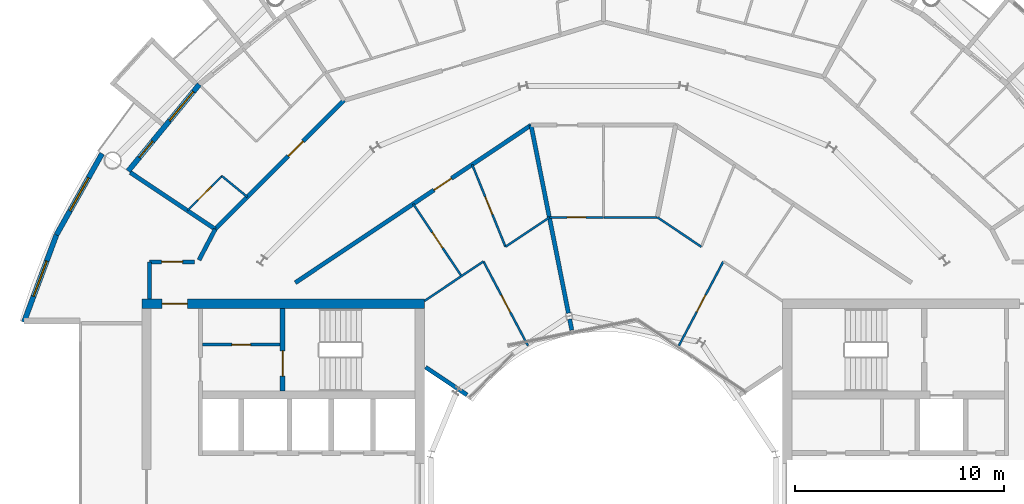
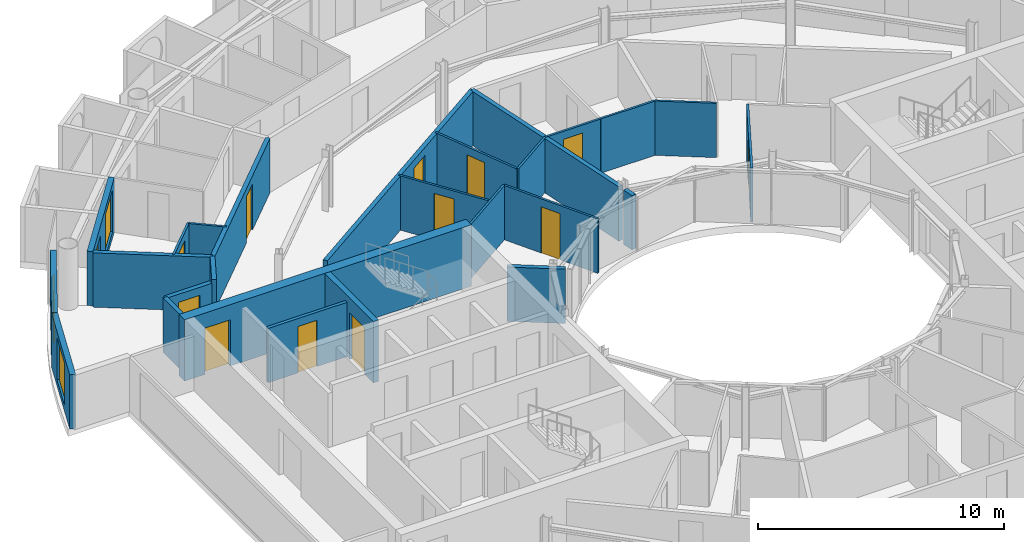
# One storey, part 20 of 27: 26 walls, 13 doors, 3 windows, 16 openings.
"""IFC4 building model written with IfcOpenShell, lengths in metres."""

from ifc_helpers import new_model, si_unit, direction, frame, frame_2d, origin, place, context, subcontext, project, spatial, rectangle, extrude, material, layer, layer_set, type_object, element, fill, save


model = new_model("IFC4")

# Units and contexts
model_context = context("Model", 3, precision=1e-05, world=origin(), true_north=direction((0.0, 1.0)))
body_context = subcontext(model_context, "Body", "Model", "MODEL_VIEW")
ifc_project = project(units=[si_unit("LENGTHUNIT", "METRE"), si_unit("AREAUNIT", "SQUARE_METRE"), si_unit("VOLUMEUNIT", "CUBIC_METRE"), si_unit("PLANEANGLEUNIT", "RADIAN"), si_unit("MASSUNIT", "GRAM", prefix="KILO")], contexts=[model_context])

# Site, building, storey
site_placement = place(None, origin())
site = spatial("IfcSite", under=ifc_project, at=site_placement, CompositionType="ELEMENT")
building_placement = place(site_placement, origin())
building = spatial("IfcBuilding", under=site, at=building_placement, Name="Maasbend Ring Residences", CompositionType="ELEMENT")
storey_placement = place(building_placement, frame((0.0, 0.0, 199.35009765625)))
storey = spatial("IfcBuildingStorey", under=building, at=storey_placement, Name="L57", CompositionType="ELEMENT", Elevation=199.35009765625)

# Wall, opening, door
ifc_material_1 = material(Name="Concrete C50/60", Category="concrete")
ifc_layer_1 = layer(ifc_material_1, 0.25)
ifc_layer_set_1 = layer_set([ifc_layer_1], Name="Concrete C50/60")
wall_type_1 = type_object("IfcWallType", Name="CORE WALL 250 C50/60", PredefinedType="SHEAR", material=ifc_layer_set_1)
wall_1_placement = place(storey_placement, frame((-15.324951171875, 8.60009765625, 0.0), z_axis=(0.0, 0.0, 1.0), x_axis=(0.0, -1.0, 0.0)))
wall_1 = element("IfcWall", 1, at=wall_1_placement, inside=storey, type_object=wall_type_1, Name="L57 core W wall STES", PredefinedType="SHEAR", context=body_context, shape_type="SweptSolid", body=[
    extrude(rectangle(XDim=3.9501953125, YDim=0.25, at=frame_2d((1.97509765625, 0.0))), origin(), (0.0, 0.0, 1.0), 3.0498046875),
])
opening_1_placement = place(wall_1_placement, frame((2.02490234375, 0.0, 0.0)))
opening_1 = element("IfcOpeningElement", 2, at=opening_1_placement, cuts=wall_1, Name="Opening D-W5710", PredefinedType="OPENING", context=body_context, shape_type="SweptSolid", body=[
    extrude(rectangle(XDim=1.199951171875, YDim=2.300048828125, at=frame_2d((0.60009765625, 1.14990234375))), frame((0.0, 0.135009765625, 0.0), z_axis=(0.0, -1.0, 0.0), x_axis=(1.0, 0.0, 0.0)), (0.0, 0.0, 1.0), 0.27001953125),
])
ifc_material_2 = material(Name="Steel, powder coated", Category="steel")
door_type_1 = type_object("IfcDoorType", Name="STAIR DOOR 1200 X 2300 FD60", OperationType="NOTDEFINED", PredefinedType="DOOR", material=ifc_material_2)
door_1_placement = place(opening_1_placement, origin())
door_1 = element("IfcDoor", 3, at=door_1_placement, inside=storey, type_object=door_type_1, Name="Stair door ST-W L57", OperationType="SINGLE_SWING_LEFT", OverallHeight=2.300048828125, OverallWidth=1.199951171875, PredefinedType="DOOR", context=body_context, shape_type="SweptSolid", body=[
    extrude(rectangle(XDim=1.199951171875, YDim=2.300048828125, at=frame_2d((0.60009765625, 1.14990234375))), frame((0.0, 0.02490234375, 0.0), z_axis=(0.0, -1.0, 0.0), x_axis=(1.0, 0.0, 0.0)), (0.0, 0.0, 1.0), 0.050048828125),
])
fill(opening_1, door_1)

ifc_material_3 = material(Name="Concrete C50/60", Category="concrete")
ifc_layer_2 = layer(ifc_material_3, 0.449951171875)
ifc_layer_set_2 = layer_set([ifc_layer_2], Name="Concrete C50/60")
wall_type_2 = type_object("IfcWallType", Name="CORE WALL 450 C50/60", PredefinedType="SHEAR", material=ifc_layer_set_2)
wall_2_placement = place(storey_placement, frame((-8.550048828125, 8.824951171875, 0.0), z_axis=(0.0, 0.0, 1.0), x_axis=(-1.0, 0.0, 0.0)))
wall_2 = element("IfcWall", 4, at=wall_2_placement, inside=storey, type_object=wall_type_2, Name="L57 core W wall PS", PredefinedType="SHEAR", context=body_context, shape_type="SweptSolid", body=[
    extrude(rectangle(XDim=13.5, YDim=0.449951171875, at=frame_2d((6.75, 0.0))), origin(), (0.0, 0.0, 1.0), 3.0498046875),
])
opening_2_placement = place(wall_2_placement, frame((11.324951171875, 0.0, 0.0)))
opening_2 = element("IfcOpeningElement", 5, at=opening_2_placement, cuts=wall_2, Name="Opening D-W5714", PredefinedType="OPENING", context=body_context, shape_type="SweptSolid", body=[
    extrude(rectangle(XDim=1.199951171875, YDim=2.300048828125, at=frame_2d((0.60009765625, 1.14990234375))), frame((0.0, 0.23486328125, 0.0), z_axis=(0.0, -1.0, 0.0), x_axis=(1.0, 0.0, 0.0)), (0.0, 0.0, 1.0), 0.469970703125),
])
ifc_material_4 = material(Name="Steel, powder coated", Category="steel")
door_type_2 = type_object("IfcDoorType", Name="CORRIDOR DOOR 1200 X 2300 FD30S", OperationType="NOTDEFINED", PredefinedType="DOOR", material=ifc_material_4)
door_2_placement = place(opening_2_placement, origin())
door_2 = element("IfcDoor", 6, at=door_2_placement, inside=storey, type_object=door_type_2, Name="Corridor door L57", OperationType="SINGLE_SWING_LEFT", OverallHeight=2.300048828125, OverallWidth=1.199951171875, PredefinedType="DOOR", context=body_context, shape_type="SweptSolid", body=[
    extrude(rectangle(XDim=1.199951171875, YDim=2.300048828125, at=frame_2d((0.60009765625, 1.14990234375))), frame((0.0, 0.02490234375, 0.0), z_axis=(0.0, -1.0, 0.0), x_axis=(1.0, 0.0, 0.0)), (0.0, 0.0, 1.0), 0.050048828125),
])
fill(opening_2, door_2)

ifc_material_5 = material(Name="Concrete C30/37", Category="concrete")
ifc_layer_3 = layer(ifc_material_5, 0.199951171875)
ifc_layer_set_3 = layer_set([ifc_layer_3], Name="Concrete C30/37")
wall_type_3 = type_object("IfcWallType", Name="CORRIDOR WALL 200 CONCRETE", PredefinedType="PARTITIONING", material=ifc_layer_set_3)
wall_3_placement = place(storey_placement, frame((-21.675048828125, 10.824951171875, 0.0), z_axis=(0.0, 0.0, 1.0), x_axis=(1.0, 0.0, 0.0)))
wall_3 = element("IfcWall", 7, at=wall_3_placement, inside=storey, type_object=wall_type_3, Name="U-L57-w092", PredefinedType="PARTITIONING", context=body_context, shape_type="SweptSolid", body=[
    extrude(rectangle(XDim=2.152099609375, YDim=0.199951171875, at=frame_2d((1.076171875, 0.0))), origin(), (0.0, 0.0, 1.0), 2.699951171875),
])
opening_3_placement = place(wall_3_placement, frame((0.575927734375, 0.0, 0.0)))
opening_3 = element("IfcOpeningElement", 8, at=opening_3_placement, cuts=wall_3, Name="Opening D-5762", PredefinedType="OPENING", context=body_context, shape_type="SweptSolid", body=[
    extrude(rectangle(XDim=1.0, YDim=2.300048828125, at=frame_2d((0.5, 1.14990234375))), frame((0.0, 0.10986328125, 0.0), z_axis=(0.0, -1.0, 0.0), x_axis=(1.0, 0.0, 0.0)), (0.0, 0.0, 1.0), 0.219970703125),
])
ifc_material_6 = material(Name="Timber, painted", Category="wood")
door_type_3 = type_object("IfcDoorType", Name="ROOM DOOR 1000 X 2300", OperationType="NOTDEFINED", PredefinedType="DOOR", material=ifc_material_6)
door_3_placement = place(opening_3_placement, origin())
door_3 = element("IfcDoor", 9, at=door_3_placement, inside=storey, type_object=door_type_3, Name="D-5762", OperationType="SINGLE_SWING_LEFT", OverallHeight=2.300048828125, OverallWidth=1.0, PredefinedType="DOOR", context=body_context, shape_type="SweptSolid", body=[
    extrude(rectangle(XDim=1.0, YDim=2.300048828125, at=frame_2d((0.5, 1.14990234375))), frame((0.0, 0.02490234375, 0.0), z_axis=(0.0, -1.0, 0.0), x_axis=(1.0, 0.0, 0.0)), (0.0, 0.0, 1.0), 0.050048828125),
])
fill(opening_3, door_3)

wall_4_placement = place(storey_placement, frame((-14.718017578125, 9.83203125, 0.0), z_axis=(0.0, 0.0, 1.0), x_axis=(0.831437137577, 0.555618831806, 0.0)))
wall_4 = element("IfcWall", 10, at=wall_4_placement, inside=storey, type_object=wall_type_3, Name="U-L57-w099", PredefinedType="PARTITIONING", context=body_context, shape_type="SweptSolid", body=[
    extrude(rectangle(XDim=13.549072265625, YDim=0.199951171875, at=frame_2d((6.7744140625, 0.0))), origin(), (0.0, 0.0, 1.0), 2.699951171875),
])
opening_4_placement = place(wall_4_placement, frame((7.968017578125, 0.0, 0.0)))
opening_4 = element("IfcOpeningElement", 11, at=opening_4_placement, cuts=wall_4, Name="Opening D-5727", PredefinedType="OPENING", context=body_context, shape_type="SweptSolid", body=[
    extrude(rectangle(XDim=1.0, YDim=2.300048828125, at=frame_2d((0.5, 1.14990234375))), frame((0.0, 0.10986328125, 0.0), z_axis=(0.0, -1.0, 0.0), x_axis=(1.0, 0.0, 0.0)), (0.0, 0.0, 1.0), 0.219970703125),
])
ifc_material_7 = material(Name="Timber, fire-rated, painted", Category="wood")
door_type_4 = type_object("IfcDoorType", Name="FLAT ENTRANCE DOOR 1000 X 2300 FIRE-RATED", OperationType="NOTDEFINED", PredefinedType="DOOR", material=ifc_material_7)
door_4_placement = place(opening_4_placement, origin())
door_4 = element("IfcDoor", 12, at=door_4_placement, inside=storey, type_object=door_type_4, Name="D-5727", OperationType="SINGLE_SWING_RIGHT", OverallHeight=2.300048828125, OverallWidth=1.0, PredefinedType="DOOR", context=body_context, shape_type="SweptSolid", body=[
    extrude(rectangle(XDim=1.0, YDim=2.300048828125, at=frame_2d((0.5, 1.14990234375))), frame((0.0, 0.02490234375, 0.0), z_axis=(0.0, -1.0, 0.0), x_axis=(1.0, 0.0, 0.0)), (0.0, 0.0, 1.0), 0.050048828125),
])
fill(opening_4, door_4)

# Wall
wall_5_placement = place(storey_placement, frame((-21.675048828125, 9.050048828125, 0.0), z_axis=(0.0, 0.0, 1.0), x_axis=(0.0, 1.0, 0.0)))
element("IfcWall", 13, at=wall_5_placement, inside=storey, type_object=wall_type_3, Name="U-L57-w106", PredefinedType="PARTITIONING", context=body_context, shape_type="SweptSolid", body=[
    extrude(rectangle(XDim=1.77490234375, YDim=0.199951171875, at=frame_2d((0.887451171875, 0.0))), origin(), (0.0, 0.0, 1.0), 2.699951171875),
])

# Wall, opening, door
wall_6_placement = place(storey_placement, frame((-18.5419921875, 12.388916015625, 0.0), z_axis=(0.0, 0.0, 1.0), x_axis=(0.707106781187, 0.707106781187, 0.0)))
wall_6 = element("IfcWall", 14, at=wall_6_placement, inside=storey, type_object=wall_type_3, Name="U-L57-w107", PredefinedType="PARTITIONING", context=body_context, shape_type="SweptSolid", body=[
    extrude(rectangle(XDim=8.70166015625, YDim=0.199951171875, at=frame_2d((4.350830078125, 0.0))), origin(), (0.0, 0.0, 1.0), 2.699951171875),
])
opening_5_placement = place(wall_6_placement, frame((4.93798828125, 0.0, 0.0)))
opening_5 = element("IfcOpeningElement", 15, at=opening_5_placement, cuts=wall_6, Name="Opening D-5716", PredefinedType="OPENING", context=body_context, shape_type="SweptSolid", body=[
    extrude(rectangle(XDim=1.0, YDim=2.300048828125, at=frame_2d((0.5, 1.14990234375))), frame((0.0, 0.10986328125, 0.0), z_axis=(0.0, -1.0, 0.0), x_axis=(1.0, 0.0, 0.0)), (0.0, 0.0, 1.0), 0.219970703125),
])
door_5_placement = place(opening_5_placement, origin())
door_5 = element("IfcDoor", 16, at=door_5_placement, inside=storey, type_object=door_type_4, Name="D-5716", OperationType="SINGLE_SWING_RIGHT", OverallHeight=2.300048828125, OverallWidth=1.0, PredefinedType="DOOR", context=body_context, shape_type="SweptSolid", body=[
    extrude(rectangle(XDim=1.0, YDim=2.300048828125, at=frame_2d((0.5, 1.14990234375))), frame((0.0, 0.02490234375, 0.0), z_axis=(0.0, -1.0, 0.0), x_axis=(1.0, 0.0, 0.0)), (0.0, 0.0, 1.0), 0.050048828125),
])
fill(opening_5, door_5)

# Wall
wall_7_placement = place(storey_placement, frame((-19.31689453125, 10.9150390625, 0.0), z_axis=(0.0, 0.0, 1.0), x_axis=(0.465359652486, 0.885121683068, 0.0)))
element("IfcWall", 17, at=wall_7_placement, inside=storey, type_object=wall_type_3, Name="U-L57-w108", PredefinedType="PARTITIONING", context=body_context, shape_type="SweptSolid", body=[
    extrude(rectangle(XDim=1.665283203125, YDim=0.199951171875, at=frame_2d((0.83251953125, 0.0))), origin(), (0.0, 0.0, 1.0), 2.699951171875),
])

# Wall, openings, door, window
ifc_material_8 = material(Name="Aluminium clad insulated panel", Category="aluminium")
ifc_layer_4 = layer(ifc_material_8, 0.25)
ifc_layer_set_4 = layer_set([ifc_layer_4], Name="EW-GL")
wall_type_4 = type_object("IfcWallType", Name="EW-GL", PredefinedType="SOLIDWALL", material=ifc_layer_set_4)
wall_8_placement = place(storey_placement, frame((-19.303955078125, 19.303955078125, 0.0), z_axis=(0.0, 0.0, 1.0), x_axis=(-0.634382322723, -0.773019449054, 0.0)))
wall_8 = element("IfcWall", 18, at=wall_8_placement, inside=storey, type_object=wall_type_4, Name="External wall N10", PredefinedType="SOLIDWALL", context=body_context, shape_type="SweptSolid", body=[
    extrude(rectangle(XDim=5.351806640625, YDim=0.25, at=frame_2d((2.67578125, 0.0))), origin(), (0.0, 0.0, 1.0), 2.699951171875),
])
opening_6_placement = place(wall_8_placement, frame((0.441162109375, 0.0, 0.300048828125)))
opening_6 = element("IfcOpeningElement", 19, at=opening_6_placement, cuts=wall_8, Name="Opening W-BX", PredefinedType="OPENING", context=body_context, shape_type="SweptSolid", body=[
    extrude(rectangle(XDim=1.800048828125, YDim=2.10009765625, at=frame_2d((0.89990234375, 1.050048828125))), frame((0.0, 0.135009765625, 0.0), z_axis=(0.0, -1.0, 0.0), x_axis=(1.0, 0.0, 0.0)), (0.0, 0.0, 1.0), 0.27001953125),
])
opening_7_placement = place(wall_8_placement, frame((3.510498046875, 0.0, 0.0)))
opening_7 = element("IfcOpeningElement", 20, at=opening_7_placement, cuts=wall_8, Name="Opening D-LG", PredefinedType="OPENING", context=body_context, shape_type="SweptSolid", body=[
    extrude(rectangle(XDim=1.0, YDim=2.199951171875, at=frame_2d((0.5, 1.10009765625))), frame((0.0, 0.135009765625, 0.0), z_axis=(0.0, -1.0, 0.0), x_axis=(1.0, 0.0, 0.0)), (0.0, 0.0, 1.0), 0.27001953125),
])
ifc_material_9 = material(Name="Aluminium and clear glass", Category="aluminium")
door_type_5 = type_object("IfcDoorType", Name="D-LG", OperationType="SINGLE_SWING_LEFT", PredefinedType="DOOR", material=ifc_material_9)
door_6_placement = place(opening_7_placement, origin())
door_6 = element("IfcDoor", 21, at=door_6_placement, inside=storey, type_object=door_type_5, Name="Loggia door N20", OperationType="SINGLE_SWING_LEFT", OverallHeight=2.199951171875, OverallWidth=1.0, PredefinedType="DOOR", context=body_context, shape_type="SweptSolid", body=[
    extrude(rectangle(XDim=1.0, YDim=2.199951171875, at=frame_2d((0.5, 1.10009765625))), frame((0.0, 0.02490234375, 0.0), z_axis=(0.0, -1.0, 0.0), x_axis=(1.0, 0.0, 0.0)), (0.0, 0.0, 1.0), 0.050048828125),
])
fill(opening_7, door_6)
ifc_material_10 = material(Name="Aluminium and clear glass", Category="aluminium")
window_type = type_object("IfcWindowType", Name="W-BX", PartitioningType="DOUBLE_PANEL_VERTICAL", PredefinedType="WINDOW", material=ifc_material_10)
window_1_placement = place(opening_6_placement, origin())
window_1 = element("IfcWindow", 22, at=window_1_placement, inside=storey, type_object=window_type, Name="Window N19 room to box", OverallHeight=2.10009765625, OverallWidth=1.800048828125, PartitioningType="SINGLE_PANEL", PredefinedType="WINDOW", context=body_context, shape_type="SweptSolid", body=[
    extrude(rectangle(XDim=1.800048828125, YDim=2.10009765625, at=frame_2d((0.89990234375, 1.050048828125))), frame((0.0, 0.030029296875, 0.0), z_axis=(0.0, -1.0, 0.0), x_axis=(1.0, 0.0, 0.0)), (0.0, 0.0, 1.0), 0.06005859375),
])
fill(opening_6, window_1)

# Wall, opening, window
ifc_material_11 = material(Name="Aluminium clad insulated panel", Category="aluminium")
ifc_layer_5 = layer(ifc_material_11, 0.25)
ifc_layer_set_5 = layer_set([ifc_layer_5], Name="EW-HORN")
wall_type_5 = type_object("IfcWallType", Name="EW-HORN", PredefinedType="SOLIDWALL", material=ifc_layer_set_5)
wall_9_placement = place(storey_placement, frame((-23.946044921875, 16.0, 0.0), z_axis=(0.0, 0.0, 1.0), x_axis=(-0.489696356642, -0.871893042919, 0.0)))
wall_9 = element("IfcWall", 23, at=wall_9_placement, inside=storey, type_object=wall_type_5, Name="Horn wall 4.1", PredefinedType="SOLIDWALL", context=body_context, shape_type="SweptSolid", body=[
    extrude(rectangle(XDim=4.45361328125, YDim=0.25, at=frame_2d((2.226806640625, 0.0))), origin(), (0.0, 0.0, 1.0), 2.699951171875),
])
opening_8_placement = place(wall_9_placement, frame((1.32666015625, 0.0, 0.300048828125)))
opening_8 = element("IfcOpeningElement", 24, at=opening_8_placement, cuts=wall_9, Name="Opening W-BX", PredefinedType="OPENING", context=body_context, shape_type="SweptSolid", body=[
    extrude(rectangle(XDim=1.800048828125, YDim=2.10009765625, at=frame_2d((0.89990234375, 1.050048828125))), frame((0.0, 0.135009765625, 0.0), z_axis=(0.0, -1.0, 0.0), x_axis=(1.0, 0.0, 0.0)), (0.0, 0.0, 1.0), 0.27001953125),
])
window_2_placement = place(opening_8_placement, origin())
window_2 = element("IfcWindow", 25, at=window_2_placement, inside=storey, type_object=window_type, Name="Horn window 4.1", OverallHeight=2.10009765625, OverallWidth=1.800048828125, PartitioningType="SINGLE_PANEL", PredefinedType="WINDOW", context=body_context, shape_type="SweptSolid", body=[
    extrude(rectangle(XDim=1.800048828125, YDim=2.10009765625, at=frame_2d((0.89990234375, 1.050048828125))), frame((0.0, 0.030029296875, 0.0), z_axis=(0.0, -1.0, 0.0), x_axis=(1.0, 0.0, 0.0)), (0.0, 0.0, 1.0), 0.06005859375),
])
fill(opening_8, window_2)

wall_10_placement = place(storey_placement, frame((-26.126953125, 12.116943359375, 0.0), z_axis=(0.0, 0.0, 1.0), x_axis=(-0.349247811493, -0.937030397675, 0.0)))
wall_10 = element("IfcWall", 26, at=wall_10_placement, inside=storey, type_object=wall_type_5, Name="Horn wall 4.2", PredefinedType="SOLIDWALL", context=body_context, shape_type="SweptSolid", body=[
    extrude(rectangle(XDim=4.4521484375, YDim=0.25, at=frame_2d((2.22607421875, 0.0))), origin(), (0.0, 0.0, 1.0), 2.699951171875),
])
opening_9_placement = place(wall_10_placement, frame((1.32666015625, 0.0, 0.300048828125)))
opening_9 = element("IfcOpeningElement", 27, at=opening_9_placement, cuts=wall_10, Name="Opening W-BX", PredefinedType="OPENING", context=body_context, shape_type="SweptSolid", body=[
    extrude(rectangle(XDim=1.800048828125, YDim=2.10009765625, at=frame_2d((0.89990234375, 1.050048828125))), frame((0.0, 0.135009765625, 0.0), z_axis=(0.0, -1.0, 0.0), x_axis=(1.0, 0.0, 0.0)), (0.0, 0.0, 1.0), 0.27001953125),
])
window_3_placement = place(opening_9_placement, origin())
window_3 = element("IfcWindow", 28, at=window_3_placement, inside=storey, type_object=window_type, Name="Horn window 4.2", OverallHeight=2.10009765625, OverallWidth=1.800048828125, PartitioningType="SINGLE_PANEL", PredefinedType="WINDOW", context=body_context, shape_type="SweptSolid", body=[
    extrude(rectangle(XDim=1.800048828125, YDim=2.10009765625, at=frame_2d((0.89990234375, 1.050048828125))), frame((0.0, 0.030029296875, 0.0), z_axis=(0.0, -1.0, 0.0), x_axis=(1.0, 0.0, 0.0)), (0.0, 0.0, 1.0), 0.06005859375),
])
fill(opening_9, window_3)

# Wall
ifc_material_12 = material(Name="Gypsum board on steel studs", Category="steel")
ifc_layer_6 = layer(ifc_material_12, 0.10009765625)
ifc_layer_set_6 = layer_set([ifc_layer_6], Name="PARTITION 100 GYPSUM")
wall_type_6 = type_object("IfcWallType", Name="PARTITION 100 GYPSUM", PredefinedType="PARTITIONING", material=ifc_layer_set_6)
wall_11_placement = place(storey_placement, frame((-18.22412109375, 14.927001953125, 0.0), z_axis=(0.0, 0.0, 1.0), x_axis=(0.773446828454, -0.633861186344, 0.0)))
element("IfcWall", 29, at=wall_11_placement, inside=storey, type_object=wall_type_6, Name="U-L57-w030", PredefinedType="PARTITIONING", context=body_context, shape_type="SweptSolid", body=[
    extrude(rectangle(XDim=1.57763671875, YDim=0.10009765625, at=frame_2d((0.788818359375, 0.0))), origin(), (0.0, 0.0, 1.0), 2.699951171875),
])

# Wall, opening, door
wall_12_placement = place(storey_placement, frame((-9.0849609375, 13.596923828125, 0.0), z_axis=(0.0, 0.0, 1.0), x_axis=(0.555528237031, -0.831497671591, 0.0)))
wall_12 = element("IfcWall", 30, at=wall_12_placement, inside=storey, type_object=wall_type_6, Name="U-L57-w047", PredefinedType="PARTITIONING", context=body_context, shape_type="SweptSolid", body=[
    extrude(rectangle(XDim=4.149169921875, YDim=0.10009765625, at=frame_2d((2.07470703125, 0.0))), origin(), (0.0, 0.0, 1.0), 2.699951171875),
])
opening_10_placement = place(wall_12_placement, frame((1.625, 0.0, 0.0)))
opening_10 = element("IfcOpeningElement", 31, at=opening_10_placement, cuts=wall_12, Name="Opening D-5729", PredefinedType="OPENING", context=body_context, shape_type="SweptSolid", body=[
    extrude(rectangle(XDim=0.89990234375, YDim=2.300048828125, at=frame_2d((0.449951171875, 1.14990234375))), frame((0.0, 0.06005859375, 0.0), z_axis=(0.0, -1.0, 0.0), x_axis=(1.0, 0.0, 0.0)), (0.0, 0.0, 1.0), 0.1201171875),
])
ifc_material_13 = material(Name="Timber, painted", Category="wood")
door_type_6 = type_object("IfcDoorType", Name="INTERNAL DOOR 900 X 2300", OperationType="NOTDEFINED", PredefinedType="DOOR", material=ifc_material_13)
door_7_placement = place(opening_10_placement, origin())
door_7 = element("IfcDoor", 32, at=door_7_placement, inside=storey, type_object=door_type_6, Name="D-5729", OperationType="SINGLE_SWING_LEFT", OverallHeight=2.300048828125, OverallWidth=0.89990234375, PredefinedType="DOOR", context=body_context, shape_type="SweptSolid", body=[
    extrude(rectangle(XDim=0.89990234375, YDim=2.300048828125, at=frame_2d((0.449951171875, 1.14990234375))), frame((0.0, 0.02490234375, 0.0), z_axis=(0.0, -1.0, 0.0), x_axis=(1.0, 0.0, 0.0)), (0.0, 0.0, 1.0), 0.050048828125),
])
fill(opening_10, door_7)

wall_13_placement = place(storey_placement, frame((-6.26904296875, 15.47802734375, 0.0), z_axis=(0.0, 0.0, 1.0), x_axis=(0.375509828455, -0.926818411952, 0.0)))
wall_13 = element("IfcWall", 33, at=wall_13_placement, inside=storey, type_object=wall_type_6, Name="U-L57-w052", PredefinedType="PARTITIONING", context=body_context, shape_type="SweptSolid", body=[
    extrude(rectangle(XDim=4.237060546875, YDim=0.10009765625, at=frame_2d((2.11865234375, 0.0))), origin(), (0.0, 0.0, 1.0), 2.699951171875),
])
opening_11_placement = place(wall_13_placement, frame((1.6689453125, 0.0, 0.0)))
opening_11 = element("IfcOpeningElement", 34, at=opening_11_placement, cuts=wall_13, Name="Opening D-5728", PredefinedType="OPENING", context=body_context, shape_type="SweptSolid", body=[
    extrude(rectangle(XDim=0.89990234375, YDim=2.300048828125, at=frame_2d((0.449951171875, 1.14990234375))), frame((0.0, 0.06005859375, 0.0), z_axis=(0.0, -1.0, 0.0), x_axis=(1.0, 0.0, 0.0)), (0.0, 0.0, 1.0), 0.1201171875),
])
door_8_placement = place(opening_11_placement, origin())
door_8 = element("IfcDoor", 35, at=door_8_placement, inside=storey, type_object=door_type_6, Name="D-5728", OperationType="SINGLE_SWING_LEFT", OverallHeight=2.300048828125, OverallWidth=0.89990234375, PredefinedType="DOOR", context=body_context, shape_type="SweptSolid", body=[
    extrude(rectangle(XDim=0.89990234375, YDim=2.300048828125, at=frame_2d((0.449951171875, 1.14990234375))), frame((0.0, 0.02490234375, 0.0), z_axis=(0.0, -1.0, 0.0), x_axis=(1.0, 0.0, 0.0)), (0.0, 0.0, 1.0), 0.050048828125),
])
fill(opening_11, door_8)

wall_14_placement = place(storey_placement, frame((-5.72900390625, 10.84912109375, 0.0), z_axis=(0.0, 0.0, 1.0), x_axis=(0.466962677975, -0.884277025246, 0.0)))
wall_14 = element("IfcWall", 36, at=wall_14_placement, inside=storey, type_object=wall_type_6, Name="U-L57-w053", PredefinedType="PARTITIONING", context=body_context, shape_type="SweptSolid", body=[
    extrude(rectangle(XDim=4.548583984375, YDim=0.10009765625, at=frame_2d((2.2744140625, 0.0))), origin(), (0.0, 0.0, 1.0), 2.699951171875),
])
opening_12_placement = place(wall_14_placement, frame((1.823974609375, 0.0, 0.0)))
opening_12 = element("IfcOpeningElement", 37, at=opening_12_placement, cuts=wall_14, Name="Opening D-5730", PredefinedType="OPENING", context=body_context, shape_type="SweptSolid", body=[
    extrude(rectangle(XDim=0.89990234375, YDim=2.300048828125, at=frame_2d((0.449951171875, 1.14990234375))), frame((0.0, 0.06005859375, 0.0), z_axis=(0.0, -1.0, 0.0), x_axis=(1.0, 0.0, 0.0)), (0.0, 0.0, 1.0), 0.1201171875),
])
door_9_placement = place(opening_12_placement, origin())
door_9 = element("IfcDoor", 38, at=door_9_placement, inside=storey, type_object=door_type_6, Name="D-5730", OperationType="SINGLE_SWING_RIGHT", OverallHeight=2.300048828125, OverallWidth=0.89990234375, PredefinedType="DOOR", context=body_context, shape_type="SweptSolid", body=[
    extrude(rectangle(XDim=0.89990234375, YDim=2.300048828125, at=frame_2d((0.449951171875, 1.14990234375))), frame((0.0, 0.02490234375, 0.0), z_axis=(0.0, -1.0, 0.0), x_axis=(1.0, 0.0, 0.0)), (0.0, 0.0, 1.0), 0.050048828125),
])
fill(opening_12, door_9)

wall_15_placement = place(storey_placement, frame((3.60498046875, 6.826904296875, 0.0), z_axis=(0.0, 0.0, 1.0), x_axis=(0.466962677975, 0.884277025246, 0.0)))
wall_15 = element("IfcWall", 39, at=wall_15_placement, inside=storey, type_object=wall_type_6, Name="U-L57-w067", PredefinedType="PARTITIONING", context=body_context, shape_type="SweptSolid", body=[
    extrude(rectangle(XDim=4.548583984375, YDim=0.10009765625, at=frame_2d((2.2744140625, 0.0))), origin(), (0.0, 0.0, 1.0), 2.699951171875),
])
opening_13_placement = place(wall_15_placement, frame((1.823974609375, 0.0, 0.0)))
opening_13 = element("IfcOpeningElement", 40, at=opening_13_placement, cuts=wall_15, Name="Opening D-5723", PredefinedType="OPENING", context=body_context, shape_type="SweptSolid", body=[
    extrude(rectangle(XDim=0.89990234375, YDim=2.300048828125, at=frame_2d((0.449951171875, 1.14990234375))), frame((0.0, 0.06005859375, 0.0), z_axis=(0.0, -1.0, 0.0), x_axis=(1.0, 0.0, 0.0)), (0.0, 0.0, 1.0), 0.1201171875),
])
door_10_placement = place(opening_13_placement, origin())
door_10 = element("IfcDoor", 41, at=door_10_placement, inside=storey, type_object=door_type_6, Name="D-5723", OperationType="SINGLE_SWING_LEFT", OverallHeight=2.300048828125, OverallWidth=0.89990234375, PredefinedType="DOOR", context=body_context, shape_type="SweptSolid", body=[
    extrude(rectangle(XDim=0.89990234375, YDim=2.300048828125, at=frame_2d((0.449951171875, 1.14990234375))), frame((0.0, 0.02490234375, 0.0), z_axis=(0.0, -1.0, 0.0), x_axis=(1.0, 0.0, 0.0)), (0.0, 0.0, 1.0), 0.050048828125),
])
fill(opening_13, door_10)

# Walls
wall_16_placement = place(storey_placement, frame((-8.550048828125, 8.962890625, 0.0), z_axis=(0.0, 0.0, 1.0), x_axis=(0.83129689803, 0.555828631257, 0.0)))
element("IfcWall", 42, at=wall_16_placement, inside=storey, type_object=wall_type_6, Name="U-L57-w094", PredefinedType="PARTITIONING", context=body_context, shape_type="SweptSolid", body=[
    extrude(rectangle(XDim=3.3935546875, YDim=0.10009765625, at=frame_2d((1.69677734375, 0.0))), origin(), (0.0, 0.0, 1.0), 2.699951171875),
])
for number, where, z_axis, x_axis, name in (
    (43, (-4.677978515625, 11.551025390625, 0.0), (0.0, 0.0, 1.0), (0.831440395268, 0.555613956912, 0.0), "U-L57-w095"),
    (44, (2.576904296875, 12.955078125, 0.0), (0.0, 0.0, 1.0), (0.831440395268, -0.555613956912, 0.0), "U-L57-w096"),
):
    element("IfcWall", number, at=place(storey_placement, frame(where, z_axis=z_axis, x_axis=x_axis)), inside=storey, type_object=wall_type_6, Name=name, PredefinedType="PARTITIONING", context=body_context, shape_type="SweptSolid", body=[
        extrude(rectangle(XDim=2.527099609375, YDim=0.10009765625, at=frame_2d((1.263671875, 0.0))), origin(), (0.0, 0.0, 1.0), 2.699951171875),
    ])

# Wall, opening, door
wall_17_placement = place(storey_placement, frame((-2.576904296875, 12.955078125, 0.0), z_axis=(0.0, 0.0, 1.0), x_axis=(1.0, 0.0, 0.0)))
wall_17 = element("IfcWall", 45, at=wall_17_placement, inside=storey, type_object=wall_type_6, Name="U-L57-w098", PredefinedType="PARTITIONING", context=body_context, shape_type="SweptSolid", body=[
    extrude(rectangle(XDim=2.576904296875, YDim=0.10009765625, at=frame_2d((1.28857421875, 0.0))), origin(), (0.0, 0.0, 1.0), 2.699951171875),
])
opening_14_placement = place(wall_17_placement, frame((0.839111328125, 0.0, 0.0)))
opening_14 = element("IfcOpeningElement", 46, at=opening_14_placement, cuts=wall_17, Name="Opening D-5726", PredefinedType="OPENING", context=body_context, shape_type="SweptSolid", body=[
    extrude(rectangle(XDim=0.89990234375, YDim=2.300048828125, at=frame_2d((0.449951171875, 1.14990234375))), frame((0.0, 0.06005859375, 0.0), z_axis=(0.0, -1.0, 0.0), x_axis=(1.0, 0.0, 0.0)), (0.0, 0.0, 1.0), 0.1201171875),
])
door_11_placement = place(opening_14_placement, origin())
door_11 = element("IfcDoor", 47, at=door_11_placement, inside=storey, type_object=door_type_6, Name="D-5726", OperationType="SINGLE_SWING_RIGHT", OverallHeight=2.300048828125, OverallWidth=0.89990234375, PredefinedType="DOOR", context=body_context, shape_type="SweptSolid", body=[
    extrude(rectangle(XDim=0.89990234375, YDim=2.300048828125, at=frame_2d((0.449951171875, 1.14990234375))), frame((0.0, 0.02490234375, 0.0), z_axis=(0.0, -1.0, 0.0), x_axis=(1.0, 0.0, 0.0)), (0.0, 0.0, 1.0), 0.050048828125),
])
fill(opening_14, door_11)

wall_18_placement = place(storey_placement, frame((-19.866943359375, 13.282958984375, 0.0), z_axis=(0.0, 0.0, 1.0), x_axis=(0.707106781187, 0.707106781187, 0.0)))
wall_18 = element("IfcWall", 48, at=wall_18_placement, inside=storey, type_object=wall_type_6, Name="U-L57-w116", PredefinedType="PARTITIONING", context=body_context, shape_type="SweptSolid", body=[
    extrude(rectangle(XDim=2.33203125, YDim=0.10009765625, at=frame_2d((1.166015625, 0.0))), origin(), (0.0, 0.0, 1.0), 2.699951171875),
])
opening_15_placement = place(wall_18_placement, frame((0.708984375, 0.0, 0.0)))
opening_15 = element("IfcOpeningElement", 49, at=opening_15_placement, cuts=wall_18, Name="Opening D-5717", PredefinedType="OPENING", context=body_context, shape_type="SweptSolid", body=[
    extrude(rectangle(XDim=0.89990234375, YDim=2.300048828125, at=frame_2d((0.449951171875, 1.14990234375))), frame((0.0, 0.06005859375, 0.0), z_axis=(0.0, -1.0, 0.0), x_axis=(1.0, 0.0, 0.0)), (0.0, 0.0, 1.0), 0.1201171875),
])
door_12_placement = place(opening_15_placement, origin())
door_12 = element("IfcDoor", 50, at=door_12_placement, inside=storey, type_object=door_type_6, Name="D-5717", OperationType="SINGLE_SWING_LEFT", OverallHeight=2.300048828125, OverallWidth=0.89990234375, PredefinedType="DOOR", context=body_context, shape_type="SweptSolid", body=[
    extrude(rectangle(XDim=0.89990234375, YDim=2.300048828125, at=frame_2d((0.449951171875, 1.14990234375))), frame((0.0, 0.02490234375, 0.0), z_axis=(0.0, -1.0, 0.0), x_axis=(1.0, 0.0, 0.0)), (0.0, 0.0, 1.0), 0.050048828125),
])
fill(opening_15, door_12)

# Wall
wall_19_placement = place(storey_placement, frame((2.556884765625, 12.955078125, 0.0), z_axis=(0.0, 0.0, 1.0), x_axis=(-1.0, 0.0, 0.0)))
element("IfcWall", 51, at=wall_19_placement, inside=storey, type_object=wall_type_6, Name="U-L57-w118", PredefinedType="PARTITIONING", context=body_context, shape_type="SweptSolid", body=[
    extrude(rectangle(XDim=2.536865234375, YDim=0.10009765625, at=frame_2d((1.2685546875, 0.0))), origin(), (0.0, 0.0, 1.0), 2.699951171875),
])

# Wall, opening, door
ifc_material_14 = material(Name="Gypsum board on steel studs", Category="steel")
ifc_layer_7 = layer(ifc_material_14, 0.14990234375)
ifc_layer_set_7 = layer_set([ifc_layer_7], Name="PARTITION 150 EI 60")
wall_type_7 = type_object("IfcWallType", Name="PARTITION 150 EI 60", PredefinedType="PARTITIONING", material=ifc_layer_set_7)
wall_20_placement = place(storey_placement, frame((-15.449951171875, 6.875, 0.0), z_axis=(0.0, 0.0, 1.0), x_axis=(-1.0, 0.0, 0.0)))
wall_20 = element("IfcWall", 52, at=wall_20_placement, inside=storey, type_object=wall_type_7, Name="L57 core W wall RHS", PredefinedType="PARTITIONING", context=body_context, shape_type="SweptSolid", body=[
    extrude(rectangle(XDim=3.699951171875, YDim=0.14990234375, at=frame_2d((1.85009765625, 0.0))), origin(), (0.0, 0.0, 1.0), 2.699951171875),
])
opening_16_placement = place(wall_20_placement, frame((1.39990234375, 0.0, 0.0)))
opening_16 = element("IfcOpeningElement", 53, at=opening_16_placement, cuts=wall_20, Name="Opening D-W5708", PredefinedType="OPENING", context=body_context, shape_type="SweptSolid", body=[
    extrude(rectangle(XDim=0.89990234375, YDim=2.300048828125, at=frame_2d((0.449951171875, 1.14990234375))), frame((0.0, 0.0849609375, 0.0), z_axis=(0.0, -1.0, 0.0), x_axis=(1.0, 0.0, 0.0)), (0.0, 0.0, 1.0), 0.169921875),
])
ifc_material_15 = material(Name="Steel, powder coated", Category="steel")
door_type_7 = type_object("IfcDoorType", Name="RISER DOOR 900 X 2300 FD60", OperationType="NOTDEFINED", PredefinedType="DOOR", material=ifc_material_15)
door_13_placement = place(opening_16_placement, origin())
door_13 = element("IfcDoor", 54, at=door_13_placement, inside=storey, type_object=door_type_7, Name="Riser door L57", OperationType="SINGLE_SWING_LEFT", OverallHeight=2.300048828125, OverallWidth=0.89990234375, PredefinedType="DOOR", context=body_context, shape_type="SweptSolid", body=[
    extrude(rectangle(XDim=0.89990234375, YDim=2.300048828125, at=frame_2d((0.449951171875, 1.14990234375))), frame((0.0, 0.02490234375, 0.0), z_axis=(0.0, -1.0, 0.0), x_axis=(1.0, 0.0, 0.0)), (0.0, 0.0, 1.0), 0.050048828125),
])
fill(opening_16, door_13)

# Walls
ifc_material_16 = material(Name="Concrete C30/37", Category="concrete")
ifc_layer_8 = layer(ifc_material_16, 0.199951171875)
ifc_layer_set_8 = layer_set([ifc_layer_8], Name="Concrete C30/37")
wall_type_8 = type_object("IfcWallType", Name="PARTY WALL 200 CONCRETE", PredefinedType="PARTITIONING", material=ifc_layer_set_8)
wall_21_placement = place(storey_placement, frame((-22.594970703125, 15.097900390625, 0.0), z_axis=(0.0, 0.0, 1.0), x_axis=(0.831387096605, -0.55569370664, 0.0)))
element("IfcWall", 55, at=wall_21_placement, inside=storey, type_object=wall_type_8, Name="U-L57-w034", PredefinedType="PARTITIONING", context=body_context, shape_type="SweptSolid", body=[
    extrude(rectangle(XDim=4.875, YDim=0.199951171875, at=frame_2d((2.4375, 0.0))), origin(), (0.0, 0.0, 1.0), 2.699951171875),
])
wall_22_placement = place(storey_placement, frame((-3.45703125, 17.35888671875, 0.0), z_axis=(0.0, 0.0, 1.0), x_axis=(0.195203214616, -0.980762817915, 0.0)))
element("IfcWall", 56, at=wall_22_placement, inside=storey, type_object=wall_type_8, Name="U-L57-w054", PredefinedType="PARTITIONING", context=body_context, shape_type="SweptSolid", body=[
    extrude(rectangle(XDim=9.155029296875, YDim=0.199951171875, at=frame_2d((4.57763671875, 0.0))), origin(), (0.0, 0.0, 1.0), 2.699951171875),
])
wall_23_placement = place(storey_placement, frame((-1.614013671875, 8.095947265625, 0.0), z_axis=(0.0, 0.0, 1.0), x_axis=(0.196116135138, -0.980580675691, 0.0)))
element("IfcWall", 57, at=wall_23_placement, inside=storey, type_object=wall_type_8, Name="U-L57-w057", PredefinedType="PARTITIONING", context=body_context, shape_type="SweptSolid", body=[
    extrude(rectangle(XDim=0.535400390625, YDim=0.199951171875, at=frame_2d((0.267578125, 0.0))), origin(), (0.0, 0.0, 1.0), 2.699951171875),
])
wall_24_placement = place(storey_placement, frame((-6.512939453125, 4.471923828125, 0.0), z_axis=(0.0, 0.0, 1.0), x_axis=(-0.831403409976, 0.555669299026, 0.0)))
element("IfcWall", 58, at=wall_24_placement, inside=storey, type_object=wall_type_8, Name="U-L57-w090", PredefinedType="PARTITIONING", context=body_context, shape_type="SweptSolid", body=[
    extrude(rectangle(XDim=2.382568359375, YDim=0.199951171875, at=frame_2d((1.19140625, 0.0))), origin(), (0.0, 0.0, 1.0), 2.699951171875),
])

save(model, "model.ifc")
